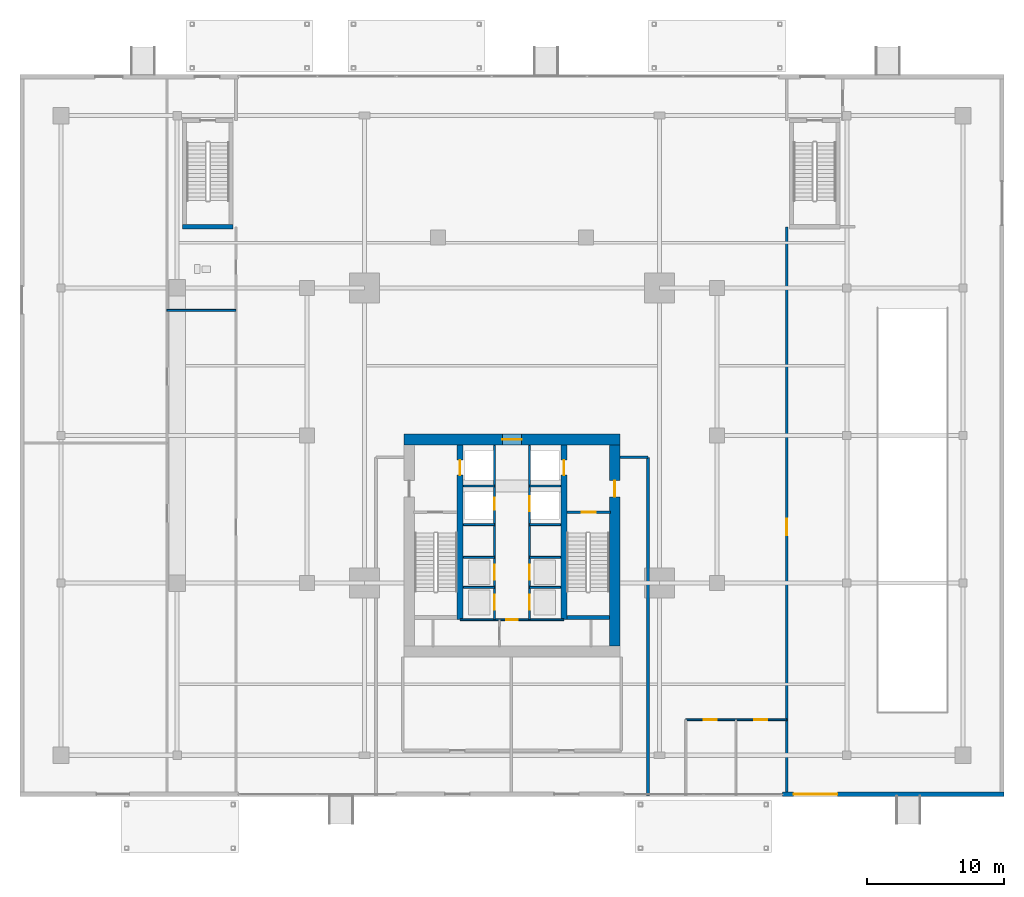
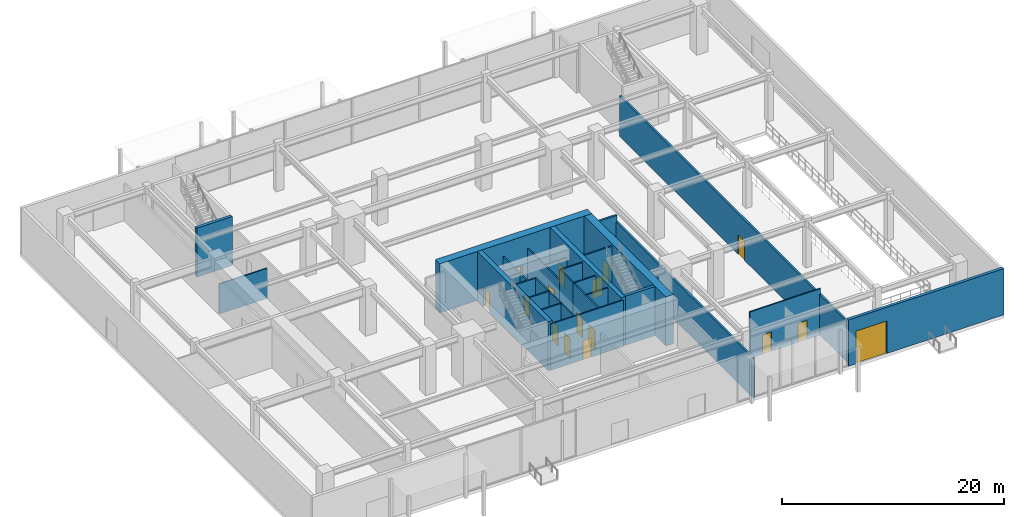
# One storey, part 20 of 28: 28 walls, 16 doors, 16 openings.
"""IFC4 building model written with IfcOpenShell, lengths in metres."""

from ifc_helpers import new_model, si_unit, direction, frame, frame_2d, origin, place, context, subcontext, project, spatial, rectangle, extrude, material, layer, layer_set, type_object, element, fill, save


model = new_model("IFC4")

# Units and contexts
model_context = context("Model", 3, precision=1e-05, world=origin(), true_north=direction((0.0, 1.0)))
body_context = subcontext(model_context, "Body", "Model", "MODEL_VIEW")
ifc_project = project(units=[si_unit("LENGTHUNIT", "METRE"), si_unit("AREAUNIT", "SQUARE_METRE"), si_unit("VOLUMEUNIT", "CUBIC_METRE"), si_unit("PLANEANGLEUNIT", "RADIAN"), si_unit("MASSUNIT", "GRAM", prefix="KILO")], contexts=[model_context])

# Site, building, storey
site_placement = place(None, origin())
site = spatial("IfcSite", under=ifc_project, at=site_placement, CompositionType="ELEMENT")
building_placement = place(site_placement, origin())
building = spatial("IfcBuilding", under=site, at=building_placement, Name="Krantzveldt Concourse Tower", CompositionType="ELEMENT")
storey_placement = place(building_placement, origin())
storey = spatial("IfcBuildingStorey", under=building, at=storey_placement, Name="L00", CompositionType="ELEMENT", Elevation=0.0)

# Wall, opening, door
ifc_material_1 = material(Name="Concrete C40/50", Category="concrete")
ifc_layer_1 = layer(ifc_material_1, 0.300048828125, Name="Concrete C40/50", Category="concrete")
ifc_layer_set_1 = layer_set([ifc_layer_1], Name="Concrete C40/50 (WL-EXT-GRAN300)")
wall_type_1 = type_object("IfcWallType", Name="WL-EXT-GRAN300", PredefinedType="SOLIDWALL", material=ifc_layer_set_1)
wall_1_placement = place(storey_placement, frame((72.0, 0.449951171875, 0.0), z_axis=(0.0, 0.0, 1.0), x_axis=(-1.0, 0.0, 0.0)))
wall_1 = element("IfcWall", 1, at=wall_1_placement, inside=storey, type_object=wall_type_1, Name="EW-L00-SE", PredefinedType="SOLIDWALL", context=body_context, shape_type="SweptSolid", body=[
    extrude(rectangle(XDim=16.199951171875, YDim=0.300048828125, at=frame_2d((8.10009765625, 0.0))), origin(), (0.0, 0.0, 1.0), 5.10009765625),
])
opening_1_placement = place(wall_1_placement, frame((12.199951171875, 0.0, 0.0)))
opening_1 = element("IfcOpeningElement", 2, at=opening_1_placement, cuts=wall_1, Name="Opening D-LD32", PredefinedType="OPENING", context=body_context, shape_type="SweptSolid", body=[
    extrude(rectangle(XDim=3.199951171875, YDim=3.60009765625, at=frame_2d((1.60009765625, 1.800048828125))), frame((0.0, 0.16015625, 0.0), z_axis=(0.0, -1.0, 0.0), x_axis=(1.0, 0.0, 0.0)), (0.0, 0.0, 1.0), 0.320068359375),
])
ifc_material_2 = material(Name="Anodised aluminium 6063-T6", Category="aluminium")
door_type_1 = type_object("IfcDoorType", Name="DR-LOAD-3200", OperationType="ROLLINGUP", PredefinedType="GATE", material=ifc_material_2)
door_1_placement = place(opening_1_placement, origin())
door_1 = element("IfcDoor", 3, at=door_1_placement, inside=storey, type_object=door_type_1, Name="DR-L00-EXLD", OperationType="ROLLINGUP", OverallHeight=3.60009765625, OverallWidth=3.199951171875, PredefinedType="GATE", context=body_context, shape_type="SweptSolid", body=[
    extrude(rectangle(XDim=3.199951171875, YDim=3.60009765625, at=frame_2d((1.60009765625, 1.800048828125))), frame((0.0, 0.02490234375, 0.0), z_axis=(0.0, -1.0, 0.0), x_axis=(1.0, 0.0, 0.0)), (0.0, 0.0, 1.0), 0.050048828125),
])
fill(opening_1, door_1)

ifc_material_3 = material(Name="Fire-rated gypsum plasterboard on steel stud", Category="steel")
ifc_layer_2 = layer(ifc_material_3, 0.1201171875, Name="Fire-rated gypsum plasterboard on steel stud", Category="steel")
ifc_layer_set_2 = layer_set([ifc_layer_2], Name="Fire-rated gypsum plasterboard on steel stud (WL-PART-120)")
wall_type_2 = type_object("IfcWallType", Name="WL-PART-120", PredefinedType="PARTITIONING", material=ifc_layer_set_2)
wall_2_placement = place(storey_placement, frame((32.2099609375, 13.219970703125, 0.0), z_axis=(0.0, 0.0, 1.0), x_axis=(1.0, 0.0, 0.0)))
wall_2 = element("IfcWall", 4, at=wall_2_placement, inside=storey, type_object=wall_type_2, Name="WP-L00-CS2H", PredefinedType="PARTITIONING", context=body_context, shape_type="SweptSolid", body=[
    extrude(rectangle(XDim=7.580078125, YDim=0.1201171875, at=frame_2d((3.7900390625, 0.0))), origin(), (0.0, 0.0, 1.0), 5.10009765625),
])
opening_2_placement = place(wall_2_placement, frame((3.364990234375, 0.0, 0.0)))
opening_2 = element("IfcOpeningElement", 5, at=opening_2_placement, cuts=wall_2, Name="Opening D-IN085", PredefinedType="OPENING", context=body_context, shape_type="SweptSolid", body=[
    extrude(rectangle(XDim=0.85009765625, YDim=2.10009765625, at=frame_2d((0.425048828125, 1.050048828125))), frame((0.0, 0.070068359375, 0.0), z_axis=(0.0, -1.0, 0.0), x_axis=(1.0, 0.0, 0.0)), (0.0, 0.0, 1.0), 0.14013671875),
])
ifc_material_4 = material(Name="Hardwood timber", Category="wood")
door_type_2 = type_object("IfcDoorType", Name="DR-INT-850", OperationType="SINGLE_SWING_LEFT", PredefinedType="DOOR", material=ifc_material_4)
door_2_placement = place(opening_2_placement, origin())
door_2 = element("IfcDoor", 6, at=door_2_placement, inside=storey, type_object=door_type_2, Name="DR-L00-LLBS", OperationType="SINGLE_SWING_RIGHT", OverallHeight=2.10009765625, OverallWidth=0.85009765625, PredefinedType="DOOR", context=body_context, shape_type="SweptSolid", body=[
    extrude(rectangle(XDim=0.85009765625, YDim=2.10009765625, at=frame_2d((0.425048828125, 1.050048828125))), frame((0.0, 0.02490234375, 0.0), z_axis=(0.0, -1.0, 0.0), x_axis=(1.0, 0.0, 0.0)), (0.0, 0.0, 1.0), 0.050048828125),
])
fill(opening_2, door_2)

# Wall
ifc_layer_3 = layer(ifc_material_3, 0.139892578125, Name="Fire-rated gypsum plasterboard on steel stud", Category="steel")
ifc_layer_set_3 = layer_set([ifc_layer_3], Name="Fire-rated gypsum plasterboard on steel stud (WL-PART-140)")
wall_type_3 = type_object("IfcWallType", Name="WL-PART-140", PredefinedType="PARTITIONING", material=ifc_layer_set_3)
wall_3_placement = place(storey_placement, frame((10.75, 35.85009765625, 0.0), z_axis=(0.0, 0.0, 1.0), x_axis=(1.0, 0.0, 0.0)))
element("IfcWall", 7, at=wall_3_placement, inside=storey, type_object=wall_type_3, Name="WP-L00-WCAS", PredefinedType="PARTITIONING", context=body_context, shape_type="SweptSolid", body=[
    extrude(rectangle(XDim=5.050048828125, YDim=0.139892578125, at=frame_2d((2.52490234375, 0.0))), origin(), (0.0, 0.0, 1.0), 3.300048828125),
])

# Wall, openings, doors
wall_4_placement = place(storey_placement, frame((48.719970703125, 5.89990234375, 0.0), z_axis=(0.0, 0.0, 1.0), x_axis=(1.0, 0.0, 0.0)))
wall_4 = element("IfcWall", 8, at=wall_4_placement, inside=storey, type_object=wall_type_3, Name="WP-L00-WCN0", PredefinedType="PARTITIONING", context=body_context, shape_type="SweptSolid", body=[
    extrude(rectangle(XDim=7.380126953125, YDim=0.139892578125, at=frame_2d((3.68994140625, 0.0))), origin(), (0.0, 0.0, 1.0), 5.10009765625),
])
opening_3_placement = place(wall_4_placement, frame((1.304931640625, 0.0, 0.0)))
opening_3 = element("IfcOpeningElement", 9, at=opening_3_placement, cuts=wall_4, Name="Opening D-IN095", PredefinedType="OPENING", context=body_context, shape_type="SweptSolid", body=[
    extrude(rectangle(XDim=0.949951171875, YDim=2.10009765625, at=frame_2d((0.47509765625, 1.050048828125))), frame((0.0, 0.080078125, 0.0), z_axis=(0.0, -1.0, 0.0), x_axis=(1.0, 0.0, 0.0)), (0.0, 0.0, 1.0), 0.159912109375),
])
opening_4_placement = place(wall_4_placement, frame((5.0048828125, 0.0, 0.0)))
opening_4 = element("IfcOpeningElement", 10, at=opening_4_placement, cuts=wall_4, Name="Opening D-IN095", PredefinedType="OPENING", context=body_context, shape_type="SweptSolid", body=[
    extrude(rectangle(XDim=0.949951171875, YDim=2.10009765625, at=frame_2d((0.47509765625, 1.050048828125))), frame((0.0, 0.080078125, 0.0), z_axis=(0.0, -1.0, 0.0), x_axis=(1.0, 0.0, 0.0)), (0.0, 0.0, 1.0), 0.159912109375),
])
door_type_3 = type_object("IfcDoorType", Name="DR-INT-950", OperationType="SINGLE_SWING_LEFT", PredefinedType="DOOR", material=ifc_material_4)
door_3_placement = place(opening_3_placement, origin())
door_3 = element("IfcDoor", 11, at=door_3_placement, inside=storey, type_object=door_type_3, Name="DR-L00-WCM", OperationType="SINGLE_SWING_LEFT", OverallHeight=2.10009765625, OverallWidth=0.949951171875, PredefinedType="DOOR", context=body_context, shape_type="SweptSolid", body=[
    extrude(rectangle(XDim=0.949951171875, YDim=2.10009765625, at=frame_2d((0.47509765625, 1.050048828125))), frame((0.0, 0.02490234375, 0.0), z_axis=(0.0, -1.0, 0.0), x_axis=(1.0, 0.0, 0.0)), (0.0, 0.0, 1.0), 0.050048828125),
])
fill(opening_3, door_3)
door_4_placement = place(opening_4_placement, origin())
door_4 = element("IfcDoor", 12, at=door_4_placement, inside=storey, type_object=door_type_3, Name="DR-L00-WCF", OperationType="SINGLE_SWING_RIGHT", OverallHeight=2.10009765625, OverallWidth=0.949951171875, PredefinedType="DOOR", context=body_context, shape_type="SweptSolid", body=[
    extrude(rectangle(XDim=0.949951171875, YDim=2.10009765625, at=frame_2d((0.47509765625, 1.050048828125))), frame((0.0, 0.02490234375, 0.0), z_axis=(0.0, -1.0, 0.0), x_axis=(1.0, 0.0, 0.0)), (0.0, 0.0, 1.0), 0.050048828125),
])
fill(opening_4, door_4)

# Wall, opening, door
ifc_layer_4 = layer(ifc_material_3, 0.139892578125, Name="Fire-rated gypsum plasterboard on steel stud", Category="steel")
ifc_layer_set_4 = layer_set([ifc_layer_4], Name="Fire-rated gypsum plasterboard on steel stud (WL-PART-FR140)")
wall_type_4 = type_object("IfcWallType", Name="WL-PART-FR140", PredefinedType="PARTITIONING", material=ifc_layer_set_4)
wall_5_placement = place(storey_placement, frame((34.719970703125, 20.199951171875, 0.0), z_axis=(0.0, 0.0, 1.0), x_axis=(0.0, 1.0, 0.0)))
wall_5 = element("IfcWall", 13, at=wall_5_placement, inside=storey, type_object=wall_type_4, Name="WP-L00-SHNW", PredefinedType="PARTITIONING", context=body_context, shape_type="SweptSolid", body=[
    extrude(rectangle(XDim=5.780029296875, YDim=0.139892578125, at=frame_2d((2.89013671875, 0.0))), origin(), (0.0, 0.0, 1.0), 3.89990234375),
])
opening_5_placement = place(wall_5_placement, frame((1.050048828125, 0.0, 0.0)))
opening_5 = element("IfcOpeningElement", 14, at=opening_5_placement, cuts=wall_5, Name="Opening D-FD090", PredefinedType="OPENING", context=body_context, shape_type="SweptSolid", body=[
    extrude(rectangle(XDim=0.89990234375, YDim=2.10009765625, at=frame_2d((0.449951171875, 1.050048828125))), frame((0.0, 0.080078125, 0.0), z_axis=(0.0, -1.0, 0.0), x_axis=(1.0, 0.0, 0.0)), (0.0, 0.0, 1.0), 0.159912109375),
])
door_type_4 = type_object("IfcDoorType", Name="DR-FD60-900", OperationType="SINGLE_SWING_LEFT", PredefinedType="DOOR", material=ifc_material_4)
door_5_placement = place(opening_5_placement, origin())
door_5 = element("IfcDoor", 15, at=door_5_placement, inside=storey, type_object=door_type_4, Name="Electrical Riser Access Door L00", OperationType="SINGLE_SWING_LEFT", OverallHeight=2.10009765625, OverallWidth=0.89990234375, PredefinedType="DOOR", context=body_context, shape_type="SweptSolid", body=[
    extrude(rectangle(XDim=0.89990234375, YDim=2.10009765625, at=frame_2d((0.449951171875, 1.050048828125))), frame((0.0, 0.02490234375, 0.0), z_axis=(0.0, -1.0, 0.0), x_axis=(1.0, 0.0, 0.0)), (0.0, 0.0, 1.0), 0.050048828125),
])
fill(opening_5, door_5)

wall_6_placement = place(storey_placement, frame((37.280029296875, 20.199951171875, 0.0), z_axis=(0.0, 0.0, 1.0), x_axis=(0.0, 1.0, 0.0)))
wall_6 = element("IfcWall", 16, at=wall_6_placement, inside=storey, type_object=wall_type_4, Name="WP-L00-SHNE", PredefinedType="PARTITIONING", context=body_context, shape_type="SweptSolid", body=[
    extrude(rectangle(XDim=5.780029296875, YDim=0.139892578125, at=frame_2d((2.89013671875, 0.0))), origin(), (0.0, 0.0, 1.0), 3.89990234375),
])
opening_6_placement = place(wall_6_placement, frame((0.949951171875, 0.0, 0.0)))
opening_6 = element("IfcOpeningElement", 17, at=opening_6_placement, cuts=wall_6, Name="Opening LD", PredefinedType="OPENING", context=body_context, shape_type="SweptSolid", body=[
    extrude(rectangle(XDim=1.10009765625, YDim=2.14990234375, at=frame_2d((0.550048828125, 1.074951171875))), frame((0.0, 0.080078125, 0.0), z_axis=(0.0, -1.0, 0.0), x_axis=(1.0, 0.0, 0.0)), (0.0, 0.0, 1.0), 0.159912109375),
])
ifc_material_5 = material(Name="Stainless steel 316L", Category="steel")
door_type_5 = type_object("IfcDoorType", Name="DR-SLIDE-LD1100", OperationType="DOUBLE_DOOR_SLIDING", PredefinedType="DOOR", material=ifc_material_5)
door_6_placement = place(opening_6_placement, origin())
door_6 = element("IfcDoor", 18, at=door_6_placement, inside=storey, type_object=door_type_5, Name="LD-L00-GL1", OperationType="DOUBLE_DOOR_SLIDING", OverallHeight=2.14990234375, OverallWidth=1.10009765625, PredefinedType="DOOR", context=body_context, shape_type="SweptSolid", body=[
    extrude(rectangle(XDim=1.10009765625, YDim=2.14990234375, at=frame_2d((0.550048828125, 1.074951171875))), frame((0.0, 0.02490234375, 0.0), z_axis=(0.0, -1.0, 0.0), x_axis=(1.0, 0.0, 0.0)), (0.0, 0.0, 1.0), 0.050048828125),
])
fill(opening_6, door_6)

# Walls
for number, where, z_axis, x_axis, name in (
    (19, (32.449951171875, 23.0, 0.0), (0.0, 0.0, 1.0), (1.0, 0.0, 0.0), "WP-L00-RISH"),
    (20, (37.280029296875, 23.0, 0.0), (0.0, 0.0, 1.0), (1.0, 0.0, 0.0), "WP-L00-GLH"),
):
    element("IfcWall", number, at=place(storey_placement, frame(where, z_axis=z_axis, x_axis=x_axis)), inside=storey, type_object=wall_type_4, Name=name, PredefinedType="PARTITIONING", context=body_context, shape_type="SweptSolid", body=[
        extrude(rectangle(XDim=2.27001953125, YDim=0.139892578125, at=frame_2d((1.135009765625, 0.0))), origin(), (0.0, 0.0, 1.0), 3.89990234375),
    ])
for number, where, z_axis, x_axis, name in (
    (21, (34.719970703125, 17.780029296875, 0.0), (0.0, 0.0, 1.0), (0.0, 1.0, 0.0), "WP-L00-SHNW2"),
    (22, (37.280029296875, 17.780029296875, 0.0), (0.0, 0.0, 1.0), (0.0, 1.0, 0.0), "WP-L00-SHNE2"),
):
    element("IfcWall", number, at=place(storey_placement, frame(where, z_axis=z_axis, x_axis=x_axis)), inside=storey, type_object=wall_type_4, Name=name, PredefinedType="PARTITIONING", context=body_context, shape_type="SweptSolid", body=[
        extrude(rectangle(XDim=2.419921875, YDim=0.139892578125, at=frame_2d((1.2099609375, 0.0))), origin(), (0.0, 0.0, 1.0), 5.10009765625),
    ])
for number, where, z_axis, x_axis, name in (
    (23, (32.449951171875, 17.780029296875, 0.0), (0.0, 0.0, 1.0), (1.0, 0.0, 0.0), "WP-L00-DIVW2"),
    (24, (32.449951171875, 20.179931640625, 0.0), (0.0, 0.0, 1.0), (1.0, 0.0, 0.0), "WP-L00-DIVW3"),
    (25, (37.280029296875, 17.780029296875, 0.0), (0.0, 0.0, 1.0), (1.0, 0.0, 0.0), "WP-L00-DIVE2"),
    (26, (37.280029296875, 20.179931640625, 0.0), (0.0, 0.0, 1.0), (1.0, 0.0, 0.0), "WP-L00-DIVE3"),
):
    element("IfcWall", number, at=place(storey_placement, frame(where, z_axis=z_axis, x_axis=x_axis)), inside=storey, type_object=wall_type_4, Name=name, PredefinedType="PARTITIONING", context=body_context, shape_type="SweptSolid", body=[
        extrude(rectangle(XDim=2.27001953125, YDim=0.139892578125, at=frame_2d((1.135009765625, 0.0))), origin(), (0.0, 0.0, 1.0), 5.10009765625),
    ])

# Wall, openings, doors
wall_7_placement = place(storey_placement, frame((34.719970703125, 13.219970703125, 0.0), z_axis=(0.0, 0.0, 1.0), x_axis=(0.0, 1.0, 0.0)))
wall_7 = element("IfcWall", 27, at=wall_7_placement, inside=storey, type_object=wall_type_4, Name="WP-L00-SHSW", PredefinedType="PARTITIONING", context=body_context, shape_type="SweptSolid", body=[
    extrude(rectangle(XDim=4.56005859375, YDim=0.139892578125, at=frame_2d((2.280029296875, 0.0))), origin(), (0.0, 0.0, 1.0), 5.10009765625),
])
opening_7_placement = place(wall_7_placement, frame((0.7099609375, 0.0, 0.0)))
opening_7 = element("IfcOpeningElement", 28, at=opening_7_placement, cuts=wall_7, Name="Opening LD", PredefinedType="OPENING", context=body_context, shape_type="SweptSolid", body=[
    extrude(rectangle(XDim=1.10009765625, YDim=2.14990234375, at=frame_2d((0.550048828125, 1.074951171875))), frame((0.0, 0.080078125, 0.0), z_axis=(0.0, -1.0, 0.0), x_axis=(1.0, 0.0, 0.0)), (0.0, 0.0, 1.0), 0.159912109375),
])
opening_8_placement = place(wall_7_placement, frame((2.909912109375, 0.0, 0.0)))
opening_8 = element("IfcOpeningElement", 29, at=opening_8_placement, cuts=wall_7, Name="Opening LD", PredefinedType="OPENING", context=body_context, shape_type="SweptSolid", body=[
    extrude(rectangle(XDim=1.10009765625, YDim=2.14990234375, at=frame_2d((0.550048828125, 1.074951171875))), frame((0.0, 0.080078125, 0.0), z_axis=(0.0, -1.0, 0.0), x_axis=(1.0, 0.0, 0.0)), (0.0, 0.0, 1.0), 0.159912109375),
])
door_7_placement = place(opening_7_placement, origin())
door_7 = element("IfcDoor", 30, at=door_7_placement, inside=storey, type_object=door_type_5, Name="LD-L00-PL1", OperationType="DOUBLE_DOOR_SLIDING", OverallHeight=2.14990234375, OverallWidth=1.10009765625, PredefinedType="DOOR", context=body_context, shape_type="SweptSolid", body=[
    extrude(rectangle(XDim=1.10009765625, YDim=2.14990234375, at=frame_2d((0.550048828125, 1.074951171875))), frame((0.0, 0.02490234375, 0.0), z_axis=(0.0, -1.0, 0.0), x_axis=(1.0, 0.0, 0.0)), (0.0, 0.0, 1.0), 0.050048828125),
])
fill(opening_7, door_7)
door_8_placement = place(opening_8_placement, origin())
door_8 = element("IfcDoor", 31, at=door_8_placement, inside=storey, type_object=door_type_5, Name="LD-L00-PL2", OperationType="DOUBLE_DOOR_SLIDING", OverallHeight=2.14990234375, OverallWidth=1.10009765625, PredefinedType="DOOR", context=body_context, shape_type="SweptSolid", body=[
    extrude(rectangle(XDim=1.10009765625, YDim=2.14990234375, at=frame_2d((0.550048828125, 1.074951171875))), frame((0.0, 0.02490234375, 0.0), z_axis=(0.0, -1.0, 0.0), x_axis=(1.0, 0.0, 0.0)), (0.0, 0.0, 1.0), 0.050048828125),
])
fill(opening_8, door_8)

# Wall
wall_8_placement = place(storey_placement, frame((32.449951171875, 15.580078125, 0.0), z_axis=(0.0, 0.0, 1.0), x_axis=(1.0, 0.0, 0.0)))
element("IfcWall", 32, at=wall_8_placement, inside=storey, type_object=wall_type_4, Name="WP-L00-DIVW1", PredefinedType="PARTITIONING", context=body_context, shape_type="SweptSolid", body=[
    extrude(rectangle(XDim=2.27001953125, YDim=0.139892578125, at=frame_2d((1.135009765625, 0.0))), origin(), (0.0, 0.0, 1.0), 5.10009765625),
])

# Wall, openings, doors
wall_9_placement = place(storey_placement, frame((37.280029296875, 13.219970703125, 0.0), z_axis=(0.0, 0.0, 1.0), x_axis=(0.0, 1.0, 0.0)))
wall_9 = element("IfcWall", 33, at=wall_9_placement, inside=storey, type_object=wall_type_4, Name="WP-L00-SHSE", PredefinedType="PARTITIONING", context=body_context, shape_type="SweptSolid", body=[
    extrude(rectangle(XDim=4.56005859375, YDim=0.139892578125, at=frame_2d((2.280029296875, 0.0))), origin(), (0.0, 0.0, 1.0), 5.10009765625),
])
opening_9_placement = place(wall_9_placement, frame((0.7099609375, 0.0, 0.0)))
opening_9 = element("IfcOpeningElement", 34, at=opening_9_placement, cuts=wall_9, Name="Opening LD", PredefinedType="OPENING", context=body_context, shape_type="SweptSolid", body=[
    extrude(rectangle(XDim=1.10009765625, YDim=2.14990234375, at=frame_2d((0.550048828125, 1.074951171875))), frame((0.0, 0.080078125, 0.0), z_axis=(0.0, -1.0, 0.0), x_axis=(1.0, 0.0, 0.0)), (0.0, 0.0, 1.0), 0.159912109375),
])
opening_10_placement = place(wall_9_placement, frame((2.909912109375, 0.0, 0.0)))
opening_10 = element("IfcOpeningElement", 35, at=opening_10_placement, cuts=wall_9, Name="Opening LD", PredefinedType="OPENING", context=body_context, shape_type="SweptSolid", body=[
    extrude(rectangle(XDim=1.10009765625, YDim=2.14990234375, at=frame_2d((0.550048828125, 1.074951171875))), frame((0.0, 0.080078125, 0.0), z_axis=(0.0, -1.0, 0.0), x_axis=(1.0, 0.0, 0.0)), (0.0, 0.0, 1.0), 0.159912109375),
])
door_9_placement = place(opening_9_placement, origin())
door_9 = element("IfcDoor", 36, at=door_9_placement, inside=storey, type_object=door_type_5, Name="LD-L00-PM1", OperationType="DOUBLE_DOOR_SLIDING", OverallHeight=2.14990234375, OverallWidth=1.10009765625, PredefinedType="DOOR", context=body_context, shape_type="SweptSolid", body=[
    extrude(rectangle(XDim=1.10009765625, YDim=2.14990234375, at=frame_2d((0.550048828125, 1.074951171875))), frame((0.0, 0.02490234375, 0.0), z_axis=(0.0, -1.0, 0.0), x_axis=(1.0, 0.0, 0.0)), (0.0, 0.0, 1.0), 0.050048828125),
])
fill(opening_9, door_9)
door_10_placement = place(opening_10_placement, origin())
door_10 = element("IfcDoor", 37, at=door_10_placement, inside=storey, type_object=door_type_5, Name="LD-L00-PM2", OperationType="DOUBLE_DOOR_SLIDING", OverallHeight=2.14990234375, OverallWidth=1.10009765625, PredefinedType="DOOR", context=body_context, shape_type="SweptSolid", body=[
    extrude(rectangle(XDim=1.10009765625, YDim=2.14990234375, at=frame_2d((0.550048828125, 1.074951171875))), frame((0.0, 0.02490234375, 0.0), z_axis=(0.0, -1.0, 0.0), x_axis=(1.0, 0.0, 0.0)), (0.0, 0.0, 1.0), 0.050048828125),
])
fill(opening_10, door_10)

# Wall
wall_10_placement = place(storey_placement, frame((37.280029296875, 15.580078125, 0.0), z_axis=(0.0, 0.0, 1.0), x_axis=(1.0, 0.0, 0.0)))
element("IfcWall", 38, at=wall_10_placement, inside=storey, type_object=wall_type_4, Name="WP-L00-DIVE1", PredefinedType="PARTITIONING", context=body_context, shape_type="SweptSolid", body=[
    extrude(rectangle(XDim=2.27001953125, YDim=0.139892578125, at=frame_2d((1.135009765625, 0.0))), origin(), (0.0, 0.0, 1.0), 5.10009765625),
])

# Wall, opening, door
ifc_layer_5 = layer(ifc_material_3, 0.159912109375, Name="Fire-rated gypsum plasterboard on steel stud", Category="steel")
ifc_layer_set_5 = layer_set([ifc_layer_5], Name="Fire-rated gypsum plasterboard on steel stud (WL-PART-FR160)")
wall_type_5 = type_object("IfcWallType", Name="WL-PART-FR160", PredefinedType="PARTITIONING", material=ifc_layer_set_5)
wall_11_placement = place(storey_placement, frame((40.0400390625, 21.080078125, 0.0), z_axis=(0.0, 0.0, 1.0), x_axis=(1.0, 0.0, 0.0)))
wall_11 = element("IfcWall", 39, at=wall_11_placement, inside=storey, type_object=wall_type_5, Name="WP-L00-ST2", PredefinedType="PARTITIONING", context=body_context, shape_type="SweptSolid", body=[
    extrude(rectangle(XDim=3.159912109375, YDim=0.159912109375, at=frame_2d((1.580078125, 0.0))), origin(), (0.0, 0.0, 1.0), 5.10009765625),
])
opening_11_placement = place(wall_11_placement, frame((1.054931640625, 0.0, 0.0)))
opening_11 = element("IfcOpeningElement", 40, at=opening_11_placement, cuts=wall_11, Name="Opening D-FD105", PredefinedType="OPENING", context=body_context, shape_type="SweptSolid", body=[
    extrude(rectangle(XDim=1.050048828125, YDim=2.10009765625, at=frame_2d((0.52490234375, 1.050048828125))), frame((0.0, 0.08984375, 0.0), z_axis=(0.0, -1.0, 0.0), x_axis=(1.0, 0.0, 0.0)), (0.0, 0.0, 1.0), 0.179931640625),
])
ifc_material_6 = material(Name="Galvanised steel", Category="steel")
door_type_6 = type_object("IfcDoorType", Name="DR-FD120-1050", OperationType="SINGLE_SWING_LEFT", PredefinedType="DOOR", material=ifc_material_6)
door_11_placement = place(opening_11_placement, origin())
door_11 = element("IfcDoor", 41, at=door_11_placement, inside=storey, type_object=door_type_6, Name="DR-L00-ST2", OperationType="SINGLE_SWING_LEFT", OverallHeight=2.10009765625, OverallWidth=1.050048828125, PredefinedType="DOOR", context=body_context, shape_type="SweptSolid", body=[
    extrude(rectangle(XDim=1.050048828125, YDim=2.10009765625, at=frame_2d((0.52490234375, 1.050048828125))), frame((0.0, 0.02490234375, 0.0), z_axis=(0.0, -1.0, 0.0), x_axis=(1.0, 0.0, 0.0)), (0.0, 0.0, 1.0), 0.050048828125),
])
fill(opening_11, door_11)

# Walls
ifc_layer_6 = layer(ifc_material_3, 0.199951171875, Name="Fire-rated gypsum plasterboard on steel stud", Category="steel")
ifc_layer_set_6 = layer_set([ifc_layer_6], Name="Fire-rated gypsum plasterboard on steel stud (WL-PART-FR200)")
wall_type_6 = type_object("IfcWallType", Name="WL-PART-FR200", PredefinedType="PARTITIONING", material=ifc_layer_set_6)
wall_12_placement = place(storey_placement, frame((45.949951171875, 0.320068359375, 0.0), z_axis=(0.0, 0.0, 1.0), x_axis=(0.0, 1.0, 0.0)))
element("IfcWall", 42, at=wall_12_placement, inside=storey, type_object=wall_type_6, Name="WP-L00-EX2E", PredefinedType="PARTITIONING", context=body_context, shape_type="SweptSolid", body=[
    extrude(rectangle(XDim=24.780029296875, YDim=0.199951171875, at=frame_2d((12.39013671875, 0.0))), origin(), (0.0, 0.0, 1.0), 4.39990234375),
])
wall_13_placement = place(storey_placement, frame((43.919921875, 25.10009765625, 0.0), z_axis=(0.0, 0.0, 1.0), x_axis=(1.0, 0.0, 0.0)))
element("IfcWall", 43, at=wall_13_placement, inside=storey, type_object=wall_type_6, Name="WP-L00-EX2N", PredefinedType="PARTITIONING", context=body_context, shape_type="SweptSolid", body=[
    extrude(rectangle(XDim=2.030029296875, YDim=0.199951171875, at=frame_2d((1.01513671875, 0.0))), origin(), (0.0, 0.0, 1.0), 5.10009765625),
])

# Wall, opening, door
wall_14_placement = place(storey_placement, frame((56.10009765625, 0.60498046875, 0.0), z_axis=(0.0, 0.0, 1.0), x_axis=(0.0, 1.0, 0.0)))
wall_14 = element("IfcWall", 44, at=wall_14_placement, inside=storey, type_object=wall_type_6, Name="WP-L00-LDW", PredefinedType="PARTITIONING", context=body_context, shape_type="SweptSolid", body=[
    extrude(rectangle(XDim=41.364990234375, YDim=0.199951171875, at=frame_2d((20.6826171875, 0.0))), origin(), (0.0, 0.0, 1.0), 4.4599609375),
])
opening_12_placement = place(wall_14_placement, frame((18.794921875, 0.0, 0.0)))
opening_12 = element("IfcOpeningElement", 45, at=opening_12_placement, cuts=wall_14, Name="Opening D-FD120", PredefinedType="OPENING", context=body_context, shape_type="SweptSolid", body=[
    extrude(rectangle(XDim=1.199951171875, YDim=2.14990234375, at=frame_2d((0.60009765625, 1.074951171875))), frame((0.0, 0.10986328125, 0.0), z_axis=(0.0, -1.0, 0.0), x_axis=(1.0, 0.0, 0.0)), (0.0, 0.0, 1.0), 0.219970703125),
])
door_type_7 = type_object("IfcDoorType", Name="DR-FD120-1200", OperationType="SINGLE_SWING_LEFT", PredefinedType="DOOR", material=ifc_material_6)
door_12_placement = place(opening_12_placement, origin())
door_12 = element("IfcDoor", 46, at=door_12_placement, inside=storey, type_object=door_type_7, Name="DR-L00-LOAD", OperationType="SINGLE_SWING_RIGHT", OverallHeight=2.14990234375, OverallWidth=1.199951171875, PredefinedType="DOOR", context=body_context, shape_type="SweptSolid", body=[
    extrude(rectangle(XDim=1.199951171875, YDim=2.14990234375, at=frame_2d((0.60009765625, 1.074951171875))), frame((0.0, 0.02490234375, 0.0), z_axis=(0.0, -1.0, 0.0), x_axis=(1.0, 0.0, 0.0)), (0.0, 0.0, 1.0), 0.050048828125),
])
fill(opening_12, door_12)

# Walls
ifc_material_7 = material(Name="Concrete C50/60", Category="concrete")
ifc_layer_7 = layer(ifc_material_7, 0.300048828125, Name="Concrete C50/60", Category="concrete")
ifc_layer_set_7 = layer_set([ifc_layer_7], Name="Concrete C50/60 (WL-SHEAR-300)")
wall_type_7 = type_object("IfcWallType", Name="WL-SHEAR-300", PredefinedType="SHEAR", material=ifc_layer_set_7)
wall_15_placement = place(storey_placement, frame((40.02001953125, 13.3701171875, 0.0), z_axis=(0.0, 0.0, 1.0), x_axis=(1.0, 0.0, 0.0)))
element("IfcWall", 47, at=wall_15_placement, inside=storey, type_object=wall_type_7, Name="CW-L00-ST2S", PredefinedType="SHEAR", context=body_context, shape_type="SweptSolid", body=[
    extrude(rectangle(XDim=3.10009765625, YDim=0.300048828125, at=frame_2d((1.550048828125, 0.0))), origin(), (0.0, 0.0, 1.0), 5.39990234375),
])
wall_16_placement = place(storey_placement, frame((11.89990234375, 41.969970703125, 0.0), z_axis=(0.0, 0.0, 1.0), x_axis=(1.0, 0.0, 0.0)))
element("IfcWall", 48, at=wall_16_placement, inside=storey, type_object=wall_type_7, Name="CW-L00-ST3-S", PredefinedType="SHEAR", context=body_context, shape_type="SweptSolid", body=[
    extrude(rectangle(XDim=3.7001953125, YDim=0.300048828125, at=frame_2d((1.85009765625, 0.0))), origin(), (0.0, 0.0, 1.0), 5.39990234375),
])

# Wall, opening, door
ifc_layer_8 = layer(ifc_material_7, 0.449951171875, Name="Concrete C50/60", Category="concrete")
ifc_layer_set_8 = layer_set([ifc_layer_8], Name="Concrete C50/60 (WL-SHEAR-450)")
wall_type_8 = type_object("IfcWallType", Name="WL-SHEAR-450", PredefinedType="SHEAR", material=ifc_layer_set_8)
wall_17_placement = place(storey_placement, frame((32.205078125, 13.219970703125, 0.0), z_axis=(0.0, 0.0, 1.0), x_axis=(0.0, 1.0, 0.0)))
wall_17 = element("IfcWall", 49, at=wall_17_placement, inside=storey, type_object=wall_type_8, Name="CW-L00-IW", PredefinedType="SHEAR", context=body_context, shape_type="SweptSolid", body=[
    extrude(rectangle(XDim=12.780029296875, YDim=0.449951171875, at=frame_2d((6.39013671875, 0.0))), origin(), (0.0, 0.0, 1.0), 5.39990234375),
])
opening_13_placement = place(wall_17_placement, frame((10.580078125, 0.0, 0.0)))
opening_13 = element("IfcOpeningElement", 50, at=opening_13_placement, cuts=wall_17, Name="Opening LD", PredefinedType="OPENING", context=body_context, shape_type="SweptSolid", body=[
    extrude(rectangle(XDim=1.10009765625, YDim=2.14990234375, at=frame_2d((0.550048828125, 1.074951171875))), frame((0.0, 0.23486328125, 0.0), z_axis=(0.0, -1.0, 0.0), x_axis=(1.0, 0.0, 0.0)), (0.0, 0.0, 1.0), 0.469970703125),
])
door_13_placement = place(opening_13_placement, origin())
door_13 = element("IfcDoor", 51, at=door_13_placement, inside=storey, type_object=door_type_5, Name="LD-L00-FL1", OperationType="DOUBLE_DOOR_SLIDING", OverallHeight=2.14990234375, OverallWidth=1.10009765625, PredefinedType="DOOR", context=body_context, shape_type="SweptSolid", body=[
    extrude(rectangle(XDim=1.10009765625, YDim=2.14990234375, at=frame_2d((0.550048828125, 1.074951171875))), frame((0.0, 0.02490234375, 0.0), z_axis=(0.0, -1.0, 0.0), x_axis=(1.0, 0.0, 0.0)), (0.0, 0.0, 1.0), 0.050048828125),
])
fill(opening_13, door_13)

wall_18_placement = place(storey_placement, frame((39.794921875, 13.219970703125, 0.0), z_axis=(0.0, 0.0, 1.0), x_axis=(0.0, 1.0, 0.0)))
wall_18 = element("IfcWall", 52, at=wall_18_placement, inside=storey, type_object=wall_type_8, Name="CW-L00-IE", PredefinedType="SHEAR", context=body_context, shape_type="SweptSolid", body=[
    extrude(rectangle(XDim=12.780029296875, YDim=0.449951171875, at=frame_2d((6.39013671875, 0.0))), origin(), (0.0, 0.0, 1.0), 5.39990234375),
])
opening_14_placement = place(wall_18_placement, frame((10.580078125, 0.0, 0.0)))
opening_14 = element("IfcOpeningElement", 53, at=opening_14_placement, cuts=wall_18, Name="Opening LD", PredefinedType="OPENING", context=body_context, shape_type="SweptSolid", body=[
    extrude(rectangle(XDim=1.10009765625, YDim=2.14990234375, at=frame_2d((0.550048828125, 1.074951171875))), frame((0.0, 0.23486328125, 0.0), z_axis=(0.0, -1.0, 0.0), x_axis=(1.0, 0.0, 0.0)), (0.0, 0.0, 1.0), 0.469970703125),
])
door_14_placement = place(opening_14_placement, origin())
door_14 = element("IfcDoor", 54, at=door_14_placement, inside=storey, type_object=door_type_5, Name="LD-L00-FL2", OperationType="DOUBLE_DOOR_SLIDING", OverallHeight=2.14990234375, OverallWidth=1.10009765625, PredefinedType="DOOR", context=body_context, shape_type="SweptSolid", body=[
    extrude(rectangle(XDim=1.10009765625, YDim=2.14990234375, at=frame_2d((0.550048828125, 1.074951171875))), frame((0.0, 0.02490234375, 0.0), z_axis=(0.0, -1.0, 0.0), x_axis=(1.0, 0.0, 0.0)), (0.0, 0.0, 1.0), 0.050048828125),
])
fill(opening_14, door_14)

ifc_material_8 = material(Name="Concrete C60/75", Category="concrete")
ifc_layer_9 = layer(ifc_material_8, 0.800048828125, Name="Concrete C60/75", Category="concrete")
ifc_layer_set_9 = layer_set([ifc_layer_9], Name="Concrete C60/75 (WL-SHEAR-800)")
wall_type_9 = type_object("IfcWallType", Name="WL-SHEAR-800", PredefinedType="SHEAR", material=ifc_layer_set_9)
wall_19_placement = place(storey_placement, frame((28.080078125, 26.39990234375, 0.0), z_axis=(0.0, 0.0, 1.0), x_axis=(1.0, 0.0, 0.0)))
wall_19 = element("IfcWall", 55, at=wall_19_placement, inside=storey, type_object=wall_type_9, Name="CW-L00-N", PredefinedType="SHEAR", context=body_context, shape_type="SweptSolid", body=[
    extrude(rectangle(XDim=15.83984375, YDim=0.800048828125, at=frame_2d((7.919921875, 0.0))), origin(), (0.0, 0.0, 1.0), 5.39990234375),
])
opening_15_placement = place(wall_19_placement, frame((7.219970703125, 0.0, 0.0)))
opening_15 = element("IfcOpeningElement", 56, at=opening_15_placement, cuts=wall_19, Name="Opening D-DB140", PredefinedType="OPENING", context=body_context, shape_type="SweptSolid", body=[
    extrude(rectangle(XDim=1.39990234375, YDim=2.199951171875, at=frame_2d((0.699951171875, 1.10009765625))), frame((0.0, 0.41015625, 0.0), z_axis=(0.0, -1.0, 0.0), x_axis=(1.0, 0.0, 0.0)), (0.0, 0.0, 1.0), 0.820068359375),
])
door_type_8 = type_object("IfcDoorType", Name="DR-DBL-1400", OperationType="DOUBLE_DOOR_SINGLE_SWING", PredefinedType="DOOR", material=ifc_material_2)
door_15_placement = place(opening_15_placement, origin())
door_15 = element("IfcDoor", 57, at=door_15_placement, inside=storey, type_object=door_type_8, Name="DR-L00-LLB", OperationType="DOUBLE_DOOR_SINGLE_SWING", OverallHeight=2.199951171875, OverallWidth=1.39990234375, PredefinedType="DOOR", context=body_context, shape_type="SweptSolid", body=[
    extrude(rectangle(XDim=1.39990234375, YDim=2.199951171875, at=frame_2d((0.699951171875, 1.10009765625))), frame((0.0, 0.02490234375, 0.0), z_axis=(0.0, -1.0, 0.0), x_axis=(1.0, 0.0, 0.0)), (0.0, 0.0, 1.0), 0.050048828125),
])
fill(opening_15, door_15)

wall_20_placement = place(storey_placement, frame((43.52001953125, 11.300048828125, 0.0), z_axis=(0.0, 0.0, 1.0), x_axis=(0.0, 1.0, 0.0)))
wall_20 = element("IfcWall", 58, at=wall_20_placement, inside=storey, type_object=wall_type_9, Name="CW-L00-E", PredefinedType="SHEAR", context=body_context, shape_type="SweptSolid", body=[
    extrude(rectangle(XDim=14.699951171875, YDim=0.800048828125, at=frame_2d((7.35009765625, 0.0))), origin(), (0.0, 0.0, 1.0), 5.39990234375),
])
opening_16_placement = place(wall_20_placement, frame((10.89990234375, 0.0, 0.0)))
opening_16 = element("IfcOpeningElement", 59, at=opening_16_placement, cuts=wall_20, Name="Opening D-FD120", PredefinedType="OPENING", context=body_context, shape_type="SweptSolid", body=[
    extrude(rectangle(XDim=1.199951171875, YDim=2.14990234375, at=frame_2d((0.60009765625, 1.074951171875))), frame((0.0, 0.41015625, 0.0), z_axis=(0.0, -1.0, 0.0), x_axis=(1.0, 0.0, 0.0)), (0.0, 0.0, 1.0), 0.820068359375),
])
door_16_placement = place(opening_16_placement, origin())
door_16 = element("IfcDoor", 60, at=door_16_placement, inside=storey, type_object=door_type_7, Name="DR-L00-ST2EX", OperationType="SINGLE_SWING_RIGHT", OverallHeight=2.14990234375, OverallWidth=1.199951171875, PredefinedType="DOOR", context=body_context, shape_type="SweptSolid", body=[
    extrude(rectangle(XDim=1.199951171875, YDim=2.14990234375, at=frame_2d((0.60009765625, 1.074951171875))), frame((0.0, 0.02490234375, 0.0), z_axis=(0.0, -1.0, 0.0), x_axis=(1.0, 0.0, 0.0)), (0.0, 0.0, 1.0), 0.050048828125),
])
fill(opening_16, door_16)

save(model, "model.ifc")
